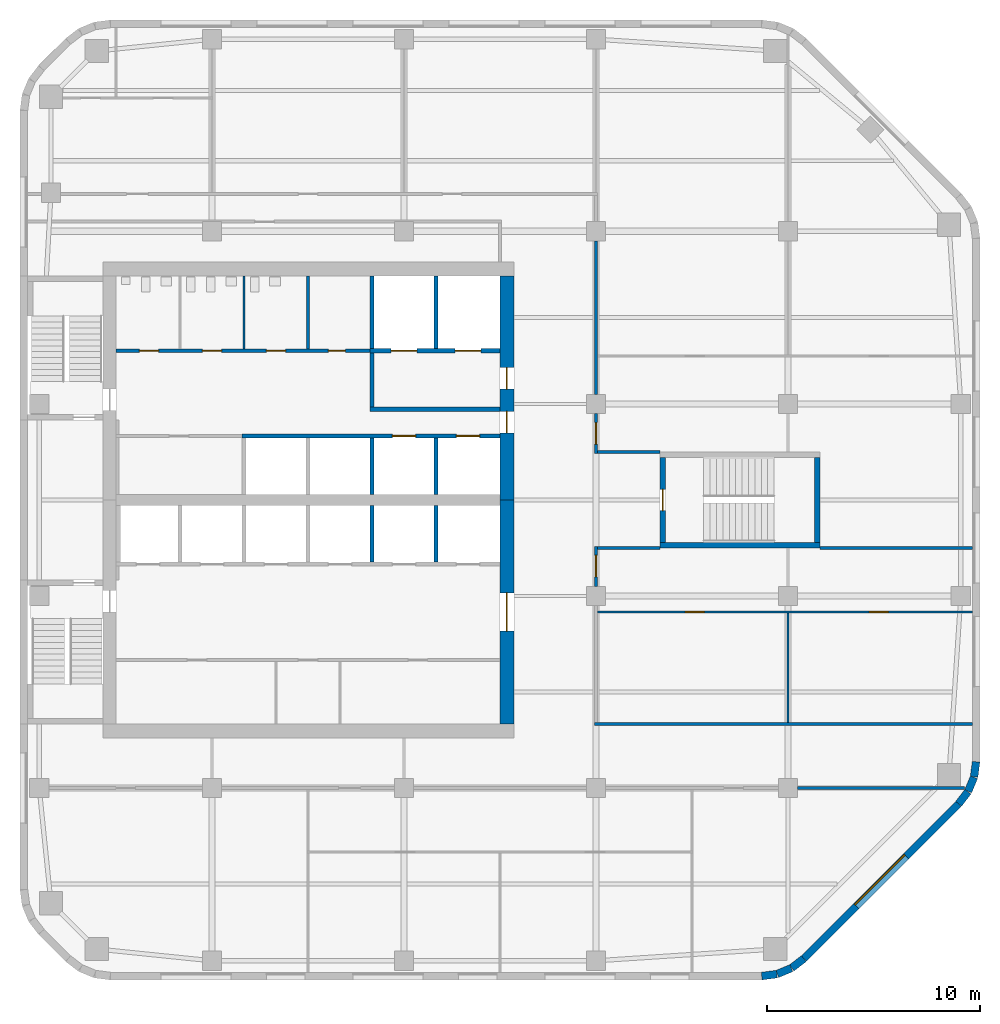
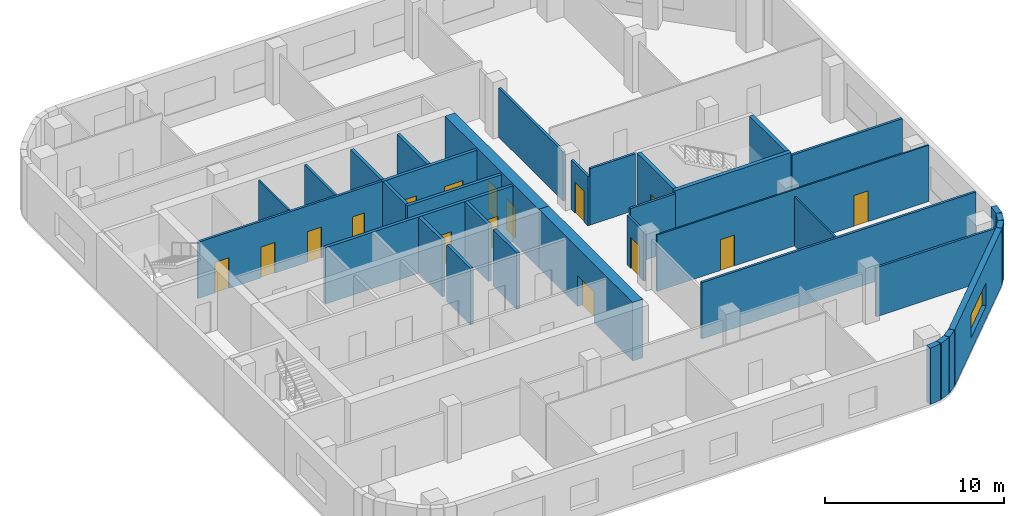
# One storey, part 4 of 8: 35 walls, 16 doors, 1 window, 17 openings.
"""IFC4 building model written with IfcOpenShell, lengths in metres."""

from ifc_helpers import new_model, si_unit, direction, frame, frame_2d, origin, place, context, subcontext, project, spatial, rectangle, extrude, material, layer, layer_set, type_object, element, fill, save


model = new_model("IFC4")

# Units and contexts
model_context = context("Model", 3, precision=1e-05, world=origin(), true_north=direction((0.0, 1.0)))
body_context = subcontext(model_context, "Body", "Model", "MODEL_VIEW")
ifc_project = project(units=[si_unit("LENGTHUNIT", "METRE"), si_unit("AREAUNIT", "SQUARE_METRE"), si_unit("VOLUMEUNIT", "CUBIC_METRE"), si_unit("PLANEANGLEUNIT", "RADIAN"), si_unit("MASSUNIT", "GRAM", prefix="KILO")], contexts=[model_context])

# Site, building, storey
site_placement = place(None, origin())
site = spatial("IfcSite", under=ifc_project, at=site_placement, CompositionType="ELEMENT")
building_placement = place(site_placement, origin())
building = spatial("IfcBuilding", under=site, at=building_placement, Name="Cinnabar Reach Civic Tower", CompositionType="ELEMENT")
storey_placement = place(building_placement, frame((0.0, 0.0, 161.0)))
storey = spatial("IfcBuildingStorey", under=building, at=storey_placement, Name="L38", CompositionType="ELEMENT", Elevation=161.0)

# Walls
ifc_material_1 = material(Name="Facing brick with insulated backing", Category="masonry")
ifc_layer_1 = layer(ifc_material_1, 0.36)
ifc_layer_set_1 = layer_set([ifc_layer_1], Name="Brick corner wall")
wall_type_1 = type_object("IfcWallType", Name="Brick corner wall", PredefinedType="STANDARD", material=ifc_layer_set_1)
for number, where, z_axis, x_axis, name in (
    (1, (34.7686, 9.183, 0.0), (0.0, 0.0, 1.0), (0.99144092581, 0.13055608231, 0.0), "Brick corner wall"),
    (2, (35.4973, 9.2819, 0.0), (0.0, 0.0, 1.0), (0.923871547278, 0.382702709855, 0.0), "Brick corner wall"),
):
    element("IfcWall", number, at=place(storey_placement, frame(where, z_axis=z_axis, x_axis=x_axis)), inside=storey, type_object=wall_type_1, Name=name, PredefinedType="STANDARD", context=body_context, shape_type="SweptSolid", body=[
        extrude(rectangle(XDim=0.7131, YDim=0.36, at=frame_2d((0.3565, 0.0))), origin(), (0.0, 0.0, 1.0), 3.85),
    ])
for number, where, z_axis, x_axis, name in (
    (3, (36.1755, 9.566, 0.0), (0.0, 0.0, 1.0), (0.793321924995, 0.608802368033, 0.0), "Brick corner wall"),
    (4, (43.9998, 17.2587, 0.0), (0.0, 0.0, 1.0), (0.608802368033, 0.793321924995, 0.0), "Brick corner wall"),
):
    element("IfcWall", number, at=place(storey_placement, frame(where, z_axis=z_axis, x_axis=x_axis)), inside=storey, type_object=wall_type_1, Name=name, PredefinedType="STANDARD", context=body_context, shape_type="SweptSolid", body=[
        extrude(rectangle(XDim=0.7132, YDim=0.36, at=frame_2d((0.3566, 0.0))), origin(), (0.0, 0.0, 1.0), 3.85),
    ])
for number, where, z_axis, x_axis, name in (
    (5, (44.4452, 17.8439, 0.0), (0.0, 0.0, 1.0), (0.382702709855, 0.923871547278, 0.0), "Brick corner wall"),
    (6, (44.7239, 18.5244, 0.0), (0.0, 0.0, 1.0), (0.13055608231, 0.99144092581, 0.0), "Brick corner wall"),
):
    element("IfcWall", number, at=place(storey_placement, frame(where, z_axis=z_axis, x_axis=x_axis)), inside=storey, type_object=wall_type_1, Name=name, PredefinedType="STANDARD", context=body_context, shape_type="SweptSolid", body=[
        extrude(rectangle(XDim=0.7131, YDim=0.36, at=frame_2d((0.3565, 0.0))), origin(), (0.0, 0.0, 1.0), 3.85),
    ])

# Wall, opening, window
ifc_layer_2 = layer(ifc_material_1, 0.36)
ifc_layer_set_2 = layer_set([ifc_layer_2], Name="Brick pier and spandrel wall")
wall_type_2 = type_object("IfcWallType", Name="Brick pier and spandrel wall", PredefinedType="STANDARD", material=ifc_layer_set_2)
wall_1_placement = place(storey_placement, frame((36.7514, 10.006, 0.0), z_axis=(0.0, 0.0, 1.0), x_axis=(0.707106781187, 0.707106781187, 0.0)))
wall_1 = element("IfcWall", 7, at=wall_1_placement, inside=storey, type_object=wall_type_2, Name="Brick facade wall", PredefinedType="STANDARD", context=body_context, shape_type="SweptSolid", body=[
    extrude(rectangle(XDim=10.2426, YDim=0.36, at=frame_2d((5.1213, 0.0))), origin(), (0.0, 0.0, 1.0), 3.85),
])
opening_1_placement = place(wall_1_placement, frame((3.4713, 0.0, 0.9)))
opening_1 = element("IfcOpeningElement", 8, at=opening_1_placement, cuts=wall_1, Name="Opening W1787", PredefinedType="OPENING", context=body_context, shape_type="SweptSolid", body=[
    extrude(rectangle(XDim=3.3, YDim=1.6, at=frame_2d((1.65, 0.8))), frame((0.0, 0.19, 0.0), z_axis=(0.0, -1.0, 0.0), x_axis=(1.0, 0.0, 0.0)), (0.0, 0.0, 1.0), 0.38),
])
ifc_material_2 = material(Name="Clear double glazing in aluminium frame", Category="aluminium")
window_type = type_object("IfcWindowType", Name="Deep-set window A", PartitioningType="SINGLE_PANEL", PredefinedType="WINDOW", material=ifc_material_2)
window_placement = place(opening_1_placement, origin())
window = element("IfcWindow", 9, at=window_placement, inside=storey, type_object=window_type, Name="Window southeast face", OverallHeight=1.6, OverallWidth=3.3, PartitioningType="SINGLE_PANEL", PredefinedType="WINDOW", context=body_context, shape_type="SweptSolid", body=[
    extrude(rectangle(XDim=3.3, YDim=1.6, at=frame_2d((1.65, 0.8))), frame((0.0, 0.13, 0.0), z_axis=(0.0, -1.0, 0.0), x_axis=(1.0, 0.0, 0.0)), (0.0, 0.0, 1.0), 0.06),
])
fill(opening_1, window)

# Wall, opening, door
ifc_material_3 = material(Name="Concrete C70", Category="concrete")
ifc_layer_3 = layer(ifc_material_3, 0.65)
ifc_layer_set_3 = layer_set([ifc_layer_3], Name="Core wall 650 EI 180")
wall_type_3 = type_object("IfcWallType", Name="Core wall 650 EI 180", PredefinedType="SOLIDWALL", material=ifc_layer_set_3)
wall_2_placement = place(storey_placement, frame((22.825, 21.0, 0.0), z_axis=(0.0, 0.0, 1.0), x_axis=(0.0, 1.0, 0.0)))
wall_2 = element("IfcWall", 10, at=wall_2_placement, inside=storey, type_object=wall_type_3, Name="Core wall T1 L38 E", PredefinedType="SOLIDWALL", context=body_context, shape_type="SweptSolid", body=[
    extrude(rectangle(XDim=10.5, YDim=0.65, at=frame_2d((5.25, 0.0))), origin(), (0.0, 0.0, 1.0), 4.0),
])
opening_2_placement = place(wall_2_placement, frame((4.35, 0.0, 0.0)))
opening_2 = element("IfcOpeningElement", 11, at=opening_2_placement, cuts=wall_2, Name="Opening D4556", PredefinedType="OPENING", context=body_context, shape_type="SweptSolid", body=[
    extrude(rectangle(XDim=1.8, YDim=2.1, at=frame_2d((0.9, 1.05))), frame((0.0, 0.335, 0.0), z_axis=(0.0, -1.0, 0.0), x_axis=(1.0, 0.0, 0.0)), (0.0, 0.0, 1.0), 0.67),
])
ifc_material_4 = material(Name="Timber door leaf in steel frame", Category="steel")
door_type_1 = type_object("IfcDoorType", Name="Double swing door 1800 x 2100 T1", OperationType="DOUBLE_DOOR_DOUBLE_SWING", PredefinedType="DOOR", material=ifc_material_4)
door_1_placement = place(opening_2_placement, origin())
door_1 = element("IfcDoor", 12, at=door_1_placement, inside=storey, type_object=door_type_1, Name="Door D4556", OperationType="DOUBLE_DOOR_DOUBLE_SWING", OverallHeight=2.1, OverallWidth=1.8, PredefinedType="DOOR", context=body_context, shape_type="SweptSolid", body=[
    extrude(rectangle(XDim=1.8, YDim=2.1, at=frame_2d((0.9, 1.05))), frame((0.0, 0.025, 0.0), z_axis=(0.0, -1.0, 0.0), x_axis=(1.0, 0.0, 0.0)), (0.0, 0.0, 1.0), 0.05),
])
fill(opening_2, door_1)

# Wall, openings, doors
wall_3_placement = place(storey_placement, frame((22.825, 31.5, 0.0), z_axis=(0.0, 0.0, 1.0), x_axis=(0.0, 1.0, 0.0)))
wall_3 = element("IfcWall", 13, at=wall_3_placement, inside=storey, type_object=wall_type_3, Name="Core wall T1 L38 E2", PredefinedType="SOLIDWALL", context=body_context, shape_type="SweptSolid", body=[
    extrude(rectangle(XDim=10.5, YDim=0.65, at=frame_2d((5.25, 0.0))), origin(), (0.0, 0.0, 1.0), 4.0),
])
opening_3_placement = place(wall_3_placement, frame((3.15, 0.0, 0.0)))
opening_3 = element("IfcOpeningElement", 14, at=opening_3_placement, cuts=wall_3, Name="Opening D4557", PredefinedType="OPENING", context=body_context, shape_type="SweptSolid", body=[
    extrude(rectangle(XDim=1.0, YDim=2.1, at=frame_2d((0.5, 1.05))), frame((0.0, 0.335, 0.0), z_axis=(0.0, -1.0, 0.0), x_axis=(1.0, 0.0, 0.0)), (0.0, 0.0, 1.0), 0.67),
])
opening_4_placement = place(wall_3_placement, frame((5.2, 0.0, 0.0)))
opening_4 = element("IfcOpeningElement", 15, at=opening_4_placement, cuts=wall_3, Name="Opening D4558", PredefinedType="OPENING", context=body_context, shape_type="SweptSolid", body=[
    extrude(rectangle(XDim=1.0, YDim=2.1, at=frame_2d((0.5, 1.05))), frame((0.0, 0.335, 0.0), z_axis=(0.0, -1.0, 0.0), x_axis=(1.0, 0.0, 0.0)), (0.0, 0.0, 1.0), 0.67),
])
door_type_2 = type_object("IfcDoorType", Name="Firefighting lobby door 1000 x 2100 T1", OperationType="SINGLE_SWING_LEFT", PredefinedType="DOOR", material=ifc_material_4)
door_2_placement = place(opening_4_placement, origin())
door_2 = element("IfcDoor", 16, at=door_2_placement, inside=storey, type_object=door_type_2, Name="Door D4558", OperationType="SINGLE_SWING_RIGHT", OverallHeight=2.1, OverallWidth=1.0, PredefinedType="DOOR", context=body_context, shape_type="SweptSolid", body=[
    extrude(rectangle(XDim=1.0, YDim=2.1, at=frame_2d((0.5, 1.05))), frame((0.0, 0.025, 0.0), z_axis=(0.0, -1.0, 0.0), x_axis=(1.0, 0.0, 0.0)), (0.0, 0.0, 1.0), 0.05),
])
fill(opening_4, door_2)
door_type_3 = type_object("IfcDoorType", Name="Single swing door 1000 x 2100 T1", OperationType="SINGLE_SWING_LEFT", PredefinedType="DOOR", material=ifc_material_4)
door_3_placement = place(opening_3_placement, origin())
door_3 = element("IfcDoor", 17, at=door_3_placement, inside=storey, type_object=door_type_3, Name="Door D4557", OperationType="SINGLE_SWING_RIGHT", OverallHeight=2.1, OverallWidth=1.0, PredefinedType="DOOR", context=body_context, shape_type="SweptSolid", body=[
    extrude(rectangle(XDim=1.0, YDim=2.1, at=frame_2d((0.5, 1.05))), frame((0.0, 0.025, 0.0), z_axis=(0.0, -1.0, 0.0), x_axis=(1.0, 0.0, 0.0)), (0.0, 0.0, 1.0), 0.05),
])
fill(opening_3, door_3)

# Walls
ifc_material_5 = material(Name="Gypsum board on steel studs, double layer", Category="steel")
ifc_layer_4 = layer(ifc_material_5, 0.15)
ifc_layer_set_4 = layer_set([ifc_layer_4], Name="Corridor wall 150 T1")
wall_type_4 = type_object("IfcWallType", Name="Corridor wall 150 T1", PredefinedType="PARTITIONING", material=ifc_layer_set_4)
wall_4_placement = place(storey_placement, frame((36.45, 18.0, 0.0), z_axis=(0.0, 0.0, 1.0), x_axis=(1.0, 0.0, 0.0)))
element("IfcWall", 18, at=wall_4_placement, inside=storey, type_object=wall_type_4, Name="Corridor wall 22", PredefinedType="PARTITIONING", context=body_context, shape_type="SweptSolid", body=[
    extrude(rectangle(XDim=7.834, YDim=0.15, at=frame_2d((3.917, 0.0))), origin(), (0.0, 0.0, 1.0), 3.35),
])
wall_5_placement = place(storey_placement, frame((26.925, 21.0, 0.0), z_axis=(0.0, 0.0, 1.0), x_axis=(1.0, 0.0, 0.0)))
element("IfcWall", 19, at=wall_5_placement, inside=storey, type_object=wall_type_4, Name="Corridor wall 27", PredefinedType="PARTITIONING", context=body_context, shape_type="SweptSolid", body=[
    extrude(rectangle(XDim=17.715, YDim=0.15, at=frame_2d((8.8575, 0.0))), origin(), (0.0, 0.0, 1.0), 3.85),
])

# Wall, opening, door
wall_6_placement = place(storey_placement, frame((27.0, 33.675, 0.0), z_axis=(0.0, 0.0, 1.0), x_axis=(0.0, 1.0, 0.0)))
wall_6 = element("IfcWall", 20, at=wall_6_placement, inside=storey, type_object=wall_type_4, Name="Corridor wall 28", PredefinedType="PARTITIONING", context=body_context, shape_type="SweptSolid", body=[
    extrude(rectangle(XDim=1.875, YDim=0.15, at=frame_2d((0.9375, 0.0))), origin(), (0.0, 0.0, 1.0), 3.362),
])
opening_5_placement = place(wall_6_placement, frame((0.45, 0.0, 0.0)))
opening_5 = element("IfcOpeningElement", 21, at=opening_5_placement, cuts=wall_6, Name="Opening D4568", PredefinedType="OPENING", context=body_context, shape_type="SweptSolid", body=[
    extrude(rectangle(XDim=1.0, YDim=2.1, at=frame_2d((0.5, 1.05))), frame((0.0, 0.085, 0.0), z_axis=(0.0, -1.0, 0.0), x_axis=(1.0, 0.0, 0.0)), (0.0, 0.0, 1.0), 0.17),
])
door_type_4 = type_object("IfcDoorType", Name="Tenancy entrance door 1000 x 2100 T1", OperationType="SINGLE_SWING_LEFT", PredefinedType="DOOR", material=ifc_material_4)
door_4_placement = place(opening_5_placement, frame((1.0, 0.0, 0.0), z_axis=(0.0, 0.0, 1.0), x_axis=(-1.0, 0.0, 0.0)))
door_4 = element("IfcDoor", 22, at=door_4_placement, inside=storey, type_object=door_type_4, Name="Door D4568", OperationType="SINGLE_SWING_RIGHT", OverallHeight=2.1, OverallWidth=1.0, PredefinedType="DOOR", context=body_context, shape_type="SweptSolid", body=[
    extrude(rectangle(XDim=1.0, YDim=2.1, at=frame_2d((0.5, 1.05))), frame((0.0, 0.025, 0.0), z_axis=(0.0, -1.0, 0.0), x_axis=(1.0, 0.0, 0.0)), (0.0, 0.0, 1.0), 0.05),
])
fill(opening_5, door_4)

# Wall
wall_7_placement = place(storey_placement, frame((27.0, 36.45, 0.0), z_axis=(0.0, 0.0, 1.0), x_axis=(0.0, 1.0, 0.0)))
element("IfcWall", 23, at=wall_7_placement, inside=storey, type_object=wall_type_4, Name="Corridor wall 29", PredefinedType="PARTITIONING", context=body_context, shape_type="SweptSolid", body=[
    extrude(rectangle(XDim=7.2, YDim=0.15, at=frame_2d((3.6, 0.0))), origin(), (0.0, 0.0, 1.0), 3.362),
])

# Wall, openings, doors
wall_8_placement = place(storey_placement, frame((4.5, 38.5, 0.0), z_axis=(0.0, 0.0, 1.0), x_axis=(1.0, 0.0, 0.0)))
wall_8 = element("IfcWall", 24, at=wall_8_placement, inside=storey, type_object=wall_type_4, Name="Corridor wall 31", PredefinedType="PARTITIONING", context=body_context, shape_type="SweptSolid", body=[
    extrude(rectangle(XDim=11.9, YDim=0.15, at=frame_2d((5.95, 0.0))), origin(), (0.0, 0.0, 1.0), 3.85),
])
opening_6_placement = place(wall_8_placement, frame((1.1, 0.0, 0.0)))
opening_6 = element("IfcOpeningElement", 25, at=opening_6_placement, cuts=wall_8, Name="Opening D4564", PredefinedType="OPENING", context=body_context, shape_type="SweptSolid", body=[
    extrude(rectangle(XDim=0.9, YDim=2.1, at=frame_2d((0.45, 1.05))), frame((0.0, 0.085, 0.0), z_axis=(0.0, -1.0, 0.0), x_axis=(1.0, 0.0, 0.0)), (0.0, 0.0, 1.0), 0.17),
])
opening_7_placement = place(wall_8_placement, frame((4.05, 0.0, 0.0)))
opening_7 = element("IfcOpeningElement", 26, at=opening_7_placement, cuts=wall_8, Name="Opening D4565", PredefinedType="OPENING", context=body_context, shape_type="SweptSolid", body=[
    extrude(rectangle(XDim=0.9, YDim=2.1, at=frame_2d((0.45, 1.05))), frame((0.0, 0.085, 0.0), z_axis=(0.0, -1.0, 0.0), x_axis=(1.0, 0.0, 0.0)), (0.0, 0.0, 1.0), 0.17),
])
opening_8_placement = place(wall_8_placement, frame((7.05, 0.0, 0.0)))
opening_8 = element("IfcOpeningElement", 27, at=opening_8_placement, cuts=wall_8, Name="Opening D4566", PredefinedType="OPENING", context=body_context, shape_type="SweptSolid", body=[
    extrude(rectangle(XDim=0.9, YDim=2.1, at=frame_2d((0.45, 1.05))), frame((0.0, 0.085, 0.0), z_axis=(0.0, -1.0, 0.0), x_axis=(1.0, 0.0, 0.0)), (0.0, 0.0, 1.0), 0.17),
])
opening_9_placement = place(wall_8_placement, frame((9.95, 0.0, 0.0)))
opening_9 = element("IfcOpeningElement", 28, at=opening_9_placement, cuts=wall_8, Name="Opening D4567", PredefinedType="OPENING", context=body_context, shape_type="SweptSolid", body=[
    extrude(rectangle(XDim=0.8, YDim=2.1, at=frame_2d((0.4, 1.05))), frame((0.0, 0.085, 0.0), z_axis=(0.0, -1.0, 0.0), x_axis=(1.0, 0.0, 0.0)), (0.0, 0.0, 1.0), 0.17),
])
door_type_5 = type_object("IfcDoorType", Name="Riser access door 800 x 2100 T1", OperationType="SINGLE_SWING_LEFT", PredefinedType="DOOR", material=ifc_material_4)
door_5_placement = place(opening_9_placement, origin())
door_5 = element("IfcDoor", 29, at=door_5_placement, inside=storey, type_object=door_type_5, Name="Door D4567", OperationType="SINGLE_SWING_LEFT", OverallHeight=2.1, OverallWidth=0.8, PredefinedType="DOOR", context=body_context, shape_type="SweptSolid", body=[
    extrude(rectangle(XDim=0.8, YDim=2.1, at=frame_2d((0.4, 1.05))), frame((0.0, 0.025, 0.0), z_axis=(0.0, -1.0, 0.0), x_axis=(1.0, 0.0, 0.0)), (0.0, 0.0, 1.0), 0.05),
])
fill(opening_9, door_5)
door_type_6 = type_object("IfcDoorType", Name="Single swing door 900 x 2100 corridor T1", OperationType="SINGLE_SWING_LEFT", PredefinedType="DOOR", material=ifc_material_4)
door_6_placement = place(opening_6_placement, origin())
door_6 = element("IfcDoor", 30, at=door_6_placement, inside=storey, type_object=door_type_6, Name="Door D4564", OperationType="SINGLE_SWING_RIGHT", OverallHeight=2.1, OverallWidth=0.9, PredefinedType="DOOR", context=body_context, shape_type="SweptSolid", body=[
    extrude(rectangle(XDim=0.9, YDim=2.1, at=frame_2d((0.45, 1.05))), frame((0.0, 0.025, 0.0), z_axis=(0.0, -1.0, 0.0), x_axis=(1.0, 0.0, 0.0)), (0.0, 0.0, 1.0), 0.05),
])
fill(opening_6, door_6)
door_7_placement = place(opening_7_placement, origin())
door_7 = element("IfcDoor", 31, at=door_7_placement, inside=storey, type_object=door_type_6, Name="Door D4565", OperationType="SINGLE_SWING_LEFT", OverallHeight=2.1, OverallWidth=0.9, PredefinedType="DOOR", context=body_context, shape_type="SweptSolid", body=[
    extrude(rectangle(XDim=0.9, YDim=2.1, at=frame_2d((0.45, 1.05))), frame((0.0, 0.025, 0.0), z_axis=(0.0, -1.0, 0.0), x_axis=(1.0, 0.0, 0.0)), (0.0, 0.0, 1.0), 0.05),
])
fill(opening_7, door_7)
door_8_placement = place(opening_8_placement, origin())
door_8 = element("IfcDoor", 32, at=door_8_placement, inside=storey, type_object=door_type_6, Name="Door D4566", OperationType="SINGLE_SWING_LEFT", OverallHeight=2.1, OverallWidth=0.9, PredefinedType="DOOR", context=body_context, shape_type="SweptSolid", body=[
    extrude(rectangle(XDim=0.9, YDim=2.1, at=frame_2d((0.45, 1.05))), frame((0.0, 0.025, 0.0), z_axis=(0.0, -1.0, 0.0), x_axis=(1.0, 0.0, 0.0)), (0.0, 0.0, 1.0), 0.05),
])
fill(opening_8, door_8)

# Wall, opening, door
wall_9_placement = place(storey_placement, frame((27.0, 27.45, 0.0), z_axis=(0.0, 0.0, 1.0), x_axis=(0.0, 1.0, 0.0)))
wall_9 = element("IfcWall", 33, at=wall_9_placement, inside=storey, type_object=wall_type_4, Name="Corridor wall 33", PredefinedType="PARTITIONING", context=body_context, shape_type="SweptSolid", body=[
    extrude(rectangle(XDim=1.875, YDim=0.15, at=frame_2d((0.9375, 0.0))), origin(), (0.0, 0.0, 1.0), 3.362),
])
opening_10_placement = place(wall_9_placement, frame((0.45, 0.0, 0.0)))
opening_10 = element("IfcOpeningElement", 34, at=opening_10_placement, cuts=wall_9, Name="Opening D4571", PredefinedType="OPENING", context=body_context, shape_type="SweptSolid", body=[
    extrude(rectangle(XDim=1.0, YDim=2.1, at=frame_2d((0.5, 1.05))), frame((0.0, 0.085, 0.0), z_axis=(0.0, -1.0, 0.0), x_axis=(1.0, 0.0, 0.0)), (0.0, 0.0, 1.0), 0.17),
])
door_9_placement = place(opening_10_placement, frame((1.0, 0.0, 0.0), z_axis=(0.0, 0.0, 1.0), x_axis=(-1.0, 0.0, 0.0)))
door_9 = element("IfcDoor", 35, at=door_9_placement, inside=storey, type_object=door_type_4, Name="Door D4571", OperationType="SINGLE_SWING_LEFT", OverallHeight=2.1, OverallWidth=1.0, PredefinedType="DOOR", context=body_context, shape_type="SweptSolid", body=[
    extrude(rectangle(XDim=1.0, YDim=2.1, at=frame_2d((0.5, 1.05))), frame((0.0, 0.025, 0.0), z_axis=(0.0, -1.0, 0.0), x_axis=(1.0, 0.0, 0.0)), (0.0, 0.0, 1.0), 0.05),
])
fill(opening_10, door_9)

# Walls
for number, where, z_axis, x_axis, name in (
    (36, (27.075, 29.25, 0.0), (0.0, 0.0, 1.0), (1.0, 0.0, 0.0), "Corridor wall 37"),
    (37, (27.075, 33.75, 0.0), (0.0, 0.0, 1.0), (1.0, 0.0, 0.0), "Corridor wall 38"),
):
    element("IfcWall", number, at=place(storey_placement, frame(where, z_axis=z_axis, x_axis=x_axis)), inside=storey, type_object=wall_type_4, Name=name, PredefinedType="PARTITIONING", context=body_context, shape_type="SweptSolid", body=[
        extrude(rectangle(XDim=2.925, YDim=0.15, at=frame_2d((1.4625, 0.0))), origin(), (0.0, 0.0, 1.0), 3.85),
    ])

# Wall, openings, doors
ifc_material_6 = material(Name="Blockwork", Category="masonry")
ifc_layer_5 = layer(ifc_material_6, 0.2)
ifc_layer_set_5 = layer_set([ifc_layer_5], Name="Lift shaft wall 200 T1")
wall_type_5 = type_object("IfcWallType", Name="Lift shaft wall 200 T1", PredefinedType="PARTITIONING", material=ifc_layer_set_5)
wall_10_placement = place(storey_placement, frame((10.4, 34.5, 0.0), z_axis=(0.0, 0.0, 1.0), x_axis=(1.0, 0.0, 0.0)))
wall_10 = element("IfcWall", 38, at=wall_10_placement, inside=storey, type_object=wall_type_5, Name="Lift shaft wall 5", PredefinedType="PARTITIONING", context=body_context, shape_type="SweptSolid", body=[
    extrude(rectangle(XDim=12.1, YDim=0.2, at=frame_2d((6.05, 0.0))), origin(), (0.0, 0.0, 1.0), 3.85),
])
opening_11_placement = place(wall_10_placement, frame((7.05, 0.0, 0.0)))
opening_11 = element("IfcOpeningElement", 39, at=opening_11_placement, cuts=wall_10, Name="Opening D4552", PredefinedType="OPENING", context=body_context, shape_type="SweptSolid", body=[
    extrude(rectangle(XDim=1.1, YDim=2.1, at=frame_2d((0.55, 1.05))), frame((0.0, 0.11, 0.0), z_axis=(0.0, -1.0, 0.0), x_axis=(1.0, 0.0, 0.0)), (0.0, 0.0, 1.0), 0.22),
])
opening_12_placement = place(wall_10_placement, frame((10.05, 0.0, 0.0)))
opening_12 = element("IfcOpeningElement", 40, at=opening_12_placement, cuts=wall_10, Name="Opening D4553", PredefinedType="OPENING", context=body_context, shape_type="SweptSolid", body=[
    extrude(rectangle(XDim=1.1, YDim=2.1, at=frame_2d((0.55, 1.05))), frame((0.0, 0.11, 0.0), z_axis=(0.0, -1.0, 0.0), x_axis=(1.0, 0.0, 0.0)), (0.0, 0.0, 1.0), 0.22),
])
ifc_material_7 = material(Name="Stainless steel sliding door", Category="steel")
door_type_7 = type_object("IfcDoorType", Name="Lift landing door 1100 x 2100 T1", OperationType="SLIDING_TO_LEFT", PredefinedType="DOOR", material=ifc_material_7)
door_10_placement = place(opening_11_placement, origin())
door_10 = element("IfcDoor", 41, at=door_10_placement, inside=storey, type_object=door_type_7, Name="Lift landing door SV1 L38", OperationType="SLIDING_TO_LEFT", OverallHeight=2.1, OverallWidth=1.1, PredefinedType="DOOR", context=body_context, shape_type="SweptSolid", body=[
    extrude(rectangle(XDim=1.1, YDim=2.1, at=frame_2d((0.55, 1.05))), frame((0.0, 0.025, 0.0), z_axis=(0.0, -1.0, 0.0), x_axis=(1.0, 0.0, 0.0)), (0.0, 0.0, 1.0), 0.05),
])
fill(opening_11, door_10)
door_11_placement = place(opening_12_placement, origin())
door_11 = element("IfcDoor", 42, at=door_11_placement, inside=storey, type_object=door_type_7, Name="Lift landing door SV2 L38", OperationType="SLIDING_TO_LEFT", OverallHeight=2.1, OverallWidth=1.1, PredefinedType="DOOR", context=body_context, shape_type="SweptSolid", body=[
    extrude(rectangle(XDim=1.1, YDim=2.1, at=frame_2d((0.55, 1.05))), frame((0.0, 0.025, 0.0), z_axis=(0.0, -1.0, 0.0), x_axis=(1.0, 0.0, 0.0)), (0.0, 0.0, 1.0), 0.05),
])
fill(opening_12, door_11)

# Walls
for number, where, z_axis, x_axis, name in (
    (43, (16.5, 28.6, 0.0), (0.0, 0.0, 1.0), (0.0, 1.0, 0.0), "Lift shaft wall 10"),
    (44, (16.5, 31.75, 0.0), (0.0, 0.0, 1.0), (0.0, 1.0, 0.0), "Lift shaft wall 11"),
    (45, (19.5, 28.6, 0.0), (0.0, 0.0, 1.0), (0.0, 1.0, 0.0), "Lift shaft wall 12"),
    (46, (19.5, 31.75, 0.0), (0.0, 0.0, 1.0), (0.0, 1.0, 0.0), "Lift shaft wall 13"),
):
    element("IfcWall", number, at=place(storey_placement, frame(where, z_axis=z_axis, x_axis=x_axis)), inside=storey, type_object=wall_type_5, Name=name, PredefinedType="PARTITIONING", context=body_context, shape_type="SweptSolid", body=[
        extrude(rectangle(XDim=2.65, YDim=0.2, at=frame_2d((1.325, 0.0))), origin(), (0.0, 0.0, 1.0), 3.85),
    ])
for number, where, z_axis, x_axis, name in (
    (47, (16.5, 38.6, 0.0), (0.0, 0.0, 1.0), (0.0, 1.0, 0.0), "Lift shaft wall 14"),
    (48, (19.5, 38.6, 0.0), (0.0, 0.0, 1.0), (0.0, 1.0, 0.0), "Lift shaft wall 15"),
):
    element("IfcWall", number, at=place(storey_placement, frame(where, z_axis=z_axis, x_axis=x_axis)), inside=storey, type_object=wall_type_5, Name=name, PredefinedType="PARTITIONING", context=body_context, shape_type="SweptSolid", body=[
        extrude(rectangle(XDim=3.4, YDim=0.2, at=frame_2d((1.7, 0.0))), origin(), (0.0, 0.0, 1.0), 3.85),
    ])

# Wall, openings, doors
ifc_material_8 = material(Name="Gypsum board on steel studs", Category="steel")
ifc_layer_6 = layer(ifc_material_8, 0.1)
ifc_layer_set_6 = layer_set([ifc_layer_6], Name="Partition wall 100 T1")
wall_type_6 = type_object("IfcWallType", Name="Partition wall 100 T1", PredefinedType="PARTITIONING", material=ifc_layer_set_6)
wall_11_placement = place(storey_placement, frame((27.075, 26.25, 0.0), z_axis=(0.0, 0.0, 1.0), x_axis=(1.0, 0.0, 0.0)))
wall_11 = element("IfcWall", 49, at=wall_11_placement, inside=storey, type_object=wall_type_6, Name="Partition wall 44", PredefinedType="PARTITIONING", context=body_context, shape_type="SweptSolid", body=[
    extrude(rectangle(XDim=17.565, YDim=0.1, at=frame_2d((8.7825, 0.0))), origin(), (0.0, 0.0, 1.0), 3.85),
])
opening_13_placement = place(wall_11_placement, frame((4.1, 0.0, 0.0)))
opening_13 = element("IfcOpeningElement", 50, at=opening_13_placement, cuts=wall_11, Name="Opening D4572", PredefinedType="OPENING", context=body_context, shape_type="SweptSolid", body=[
    extrude(rectangle(XDim=0.9, YDim=2.1, at=frame_2d((0.45, 1.05))), frame((0.0, 0.06, 0.0), z_axis=(0.0, -1.0, 0.0), x_axis=(1.0, 0.0, 0.0)), (0.0, 0.0, 1.0), 0.12),
])
opening_14_placement = place(wall_11_placement, frame((12.725, 0.0, 0.0)))
opening_14 = element("IfcOpeningElement", 51, at=opening_14_placement, cuts=wall_11, Name="Opening D4573", PredefinedType="OPENING", context=body_context, shape_type="SweptSolid", body=[
    extrude(rectangle(XDim=0.9, YDim=2.1, at=frame_2d((0.45, 1.05))), frame((0.0, 0.06, 0.0), z_axis=(0.0, -1.0, 0.0), x_axis=(1.0, 0.0, 0.0)), (0.0, 0.0, 1.0), 0.12),
])
door_type_8 = type_object("IfcDoorType", Name="Single swing door 900 x 2100 T1", OperationType="SINGLE_SWING_LEFT", PredefinedType="DOOR", material=ifc_material_4)
door_12_placement = place(opening_13_placement, frame((0.9, 0.0, 0.0), z_axis=(0.0, 0.0, 1.0), x_axis=(-1.0, 0.0, 0.0)))
door_12 = element("IfcDoor", 52, at=door_12_placement, inside=storey, type_object=door_type_8, Name="Door D4572", OperationType="SINGLE_SWING_RIGHT", OverallHeight=2.1, OverallWidth=0.9, PredefinedType="DOOR", context=body_context, shape_type="SweptSolid", body=[
    extrude(rectangle(XDim=0.9, YDim=2.1, at=frame_2d((0.45, 1.05))), frame((0.0, 0.025, 0.0), z_axis=(0.0, -1.0, 0.0), x_axis=(1.0, 0.0, 0.0)), (0.0, 0.0, 1.0), 0.05),
])
fill(opening_13, door_12)
door_13_placement = place(opening_14_placement, frame((0.9, 0.0, 0.0), z_axis=(0.0, 0.0, 1.0), x_axis=(-1.0, 0.0, 0.0)))
door_13 = element("IfcDoor", 53, at=door_13_placement, inside=storey, type_object=door_type_8, Name="Door D4573", OperationType="SINGLE_SWING_LEFT", OverallHeight=2.1, OverallWidth=0.9, PredefinedType="DOOR", context=body_context, shape_type="SweptSolid", body=[
    extrude(rectangle(XDim=0.9, YDim=2.1, at=frame_2d((0.45, 1.05))), frame((0.0, 0.025, 0.0), z_axis=(0.0, -1.0, 0.0), x_axis=(1.0, 0.0, 0.0)), (0.0, 0.0, 1.0), 0.05),
])
fill(opening_14, door_13)

# Walls
wall_12_placement = place(storey_placement, frame((36.0, 21.075, 0.0), z_axis=(0.0, 0.0, 1.0), x_axis=(0.0, 1.0, 0.0)))
element("IfcWall", 54, at=wall_12_placement, inside=storey, type_object=wall_type_6, Name="Partition wall 58", PredefinedType="PARTITIONING", context=body_context, shape_type="SweptSolid", body=[
    extrude(rectangle(XDim=5.125, YDim=0.1, at=frame_2d((2.5625, 0.0))), origin(), (0.0, 0.0, 1.0), 3.362),
])
wall_13_placement = place(storey_placement, frame((10.5, 38.575, 0.0), z_axis=(0.0, 0.0, 1.0), x_axis=(0.0, 1.0, 0.0)))
element("IfcWall", 55, at=wall_13_placement, inside=storey, type_object=wall_type_6, Name="Partition wall 60", PredefinedType="PARTITIONING", context=body_context, shape_type="SweptSolid", body=[
    extrude(rectangle(XDim=3.425, YDim=0.1, at=frame_2d((1.7125, 0.0))), origin(), (0.0, 0.0, 1.0), 3.85),
])
ifc_material_9 = material(Name="Concrete C40", Category="concrete")
ifc_layer_7 = layer(ifc_material_9, 0.2)
ifc_layer_set_7 = layer_set([ifc_layer_7], Name="Refuge compartment wall 200 T1")
wall_type_7 = type_object("IfcWallType", Name="Refuge compartment wall 200 T1", PredefinedType="PARTITIONING", material=ifc_layer_set_7)
wall_14_placement = place(storey_placement, frame((16.4, 35.75, 0.0), z_axis=(0.0, 0.0, 1.0), x_axis=(1.0, 0.0, 0.0)))
element("IfcWall", 56, at=wall_14_placement, inside=storey, type_object=wall_type_7, Name="Refuge compartment wall 1", PredefinedType="PARTITIONING", context=body_context, shape_type="SweptSolid", body=[
    extrude(rectangle(XDim=6.1, YDim=0.2, at=frame_2d((3.05, 0.0))), origin(), (0.0, 0.0, 1.0), 3.85),
])

# Wall, openings, doors
wall_15_placement = place(storey_placement, frame((16.4, 38.5, 0.0), z_axis=(0.0, 0.0, 1.0), x_axis=(1.0, 0.0, 0.0)))
wall_15 = element("IfcWall", 57, at=wall_15_placement, inside=storey, type_object=wall_type_7, Name="Refuge compartment wall 2", PredefinedType="PARTITIONING", context=body_context, shape_type="SweptSolid", body=[
    extrude(rectangle(XDim=6.1, YDim=0.2, at=frame_2d((3.05, 0.0))), origin(), (0.0, 0.0, 1.0), 3.85),
])
opening_15_placement = place(wall_15_placement, frame((1.0, 0.0, 0.0)))
opening_15 = element("IfcOpeningElement", 58, at=opening_15_placement, cuts=wall_15, Name="Opening D4554", PredefinedType="OPENING", context=body_context, shape_type="SweptSolid", body=[
    extrude(rectangle(XDim=1.2, YDim=2.1, at=frame_2d((0.6, 1.05))), frame((0.0, 0.11, 0.0), z_axis=(0.0, -1.0, 0.0), x_axis=(1.0, 0.0, 0.0)), (0.0, 0.0, 1.0), 0.22),
])
opening_16_placement = place(wall_15_placement, frame((4.0, 0.0, 0.0)))
opening_16 = element("IfcOpeningElement", 59, at=opening_16_placement, cuts=wall_15, Name="Opening D4555", PredefinedType="OPENING", context=body_context, shape_type="SweptSolid", body=[
    extrude(rectangle(XDim=1.2, YDim=2.1, at=frame_2d((0.6, 1.05))), frame((0.0, 0.11, 0.0), z_axis=(0.0, -1.0, 0.0), x_axis=(1.0, 0.0, 0.0)), (0.0, 0.0, 1.0), 0.22),
])
door_type_9 = type_object("IfcDoorType", Name="Firefighting lift landing door 1200 x 2100 T1", OperationType="SLIDING_TO_LEFT", PredefinedType="DOOR", material=ifc_material_7)
door_14_placement = place(opening_15_placement, origin())
door_14 = element("IfcDoor", 60, at=door_14_placement, inside=storey, type_object=door_type_9, Name="Lift landing door FF1 L38", OperationType="SLIDING_TO_LEFT", OverallHeight=2.1, OverallWidth=1.2, PredefinedType="DOOR", context=body_context, shape_type="SweptSolid", body=[
    extrude(rectangle(XDim=1.2, YDim=2.1, at=frame_2d((0.6, 1.05))), frame((0.0, 0.025, 0.0), z_axis=(0.0, -1.0, 0.0), x_axis=(1.0, 0.0, 0.0)), (0.0, 0.0, 1.0), 0.05),
])
fill(opening_15, door_14)
door_15_placement = place(opening_16_placement, origin())
door_15 = element("IfcDoor", 61, at=door_15_placement, inside=storey, type_object=door_type_9, Name="Lift landing door FF2 L38", OperationType="SLIDING_TO_LEFT", OverallHeight=2.1, OverallWidth=1.2, PredefinedType="DOOR", context=body_context, shape_type="SweptSolid", body=[
    extrude(rectangle(XDim=1.2, YDim=2.1, at=frame_2d((0.6, 1.05))), frame((0.0, 0.025, 0.0), z_axis=(0.0, -1.0, 0.0), x_axis=(1.0, 0.0, 0.0)), (0.0, 0.0, 1.0), 0.05),
])
fill(opening_16, door_15)

# Walls
wall_16_placement = place(storey_placement, frame((16.5, 35.85, 0.0), z_axis=(0.0, 0.0, 1.0), x_axis=(0.0, 1.0, 0.0)))
element("IfcWall", 62, at=wall_16_placement, inside=storey, type_object=wall_type_7, Name="Refuge compartment wall 3", PredefinedType="PARTITIONING", context=body_context, shape_type="SweptSolid", body=[
    extrude(rectangle(XDim=2.55, YDim=0.2, at=frame_2d((1.275, 0.0))), origin(), (0.0, 0.0, 1.0), 3.85),
])
ifc_layer_8 = layer(ifc_material_6, 0.15)
ifc_layer_set_8 = layer_set([ifc_layer_8], Name="Riser wall 150 T1")
wall_type_8 = type_object("IfcWallType", Name="Riser wall 150 T1", PredefinedType="PARTITIONING", material=ifc_layer_set_8)
wall_17_placement = place(storey_placement, frame((13.5, 38.575, 0.0), z_axis=(0.0, 0.0, 1.0), x_axis=(0.0, 1.0, 0.0)))
element("IfcWall", 63, at=wall_17_placement, inside=storey, type_object=wall_type_8, Name="Riser wall 41", PredefinedType="PARTITIONING", context=body_context, shape_type="SweptSolid", body=[
    extrude(rectangle(XDim=3.425, YDim=0.15, at=frame_2d((1.7125, 0.0))), origin(), (0.0, 0.0, 1.0), 3.85),
])
ifc_material_10 = material(Name="Concrete C60", Category="concrete")
ifc_layer_9 = layer(ifc_material_10, 0.25)
ifc_layer_set_9 = layer_set([ifc_layer_9], Name="Stair shaft wall 250 EI 120")
wall_type_9 = type_object("IfcWallType", Name="Stair shaft wall 250 EI 120", PredefinedType="SOLIDWALL", material=ifc_layer_set_9)
wall_18_placement = place(storey_placement, frame((30.0, 29.375, 0.0), z_axis=(0.0, 0.0, 1.0), x_axis=(1.0, 0.0, 0.0)))
element("IfcWall", 64, at=wall_18_placement, inside=storey, type_object=wall_type_9, Name="Stair shaft wall T1-S3 L38", PredefinedType="SOLIDWALL", context=body_context, shape_type="SweptSolid", body=[
    extrude(rectangle(XDim=7.5, YDim=0.25, at=frame_2d((3.75, 0.0))), origin(), (0.0, 0.0, 1.0), 4.0),
])
wall_19_placement = place(storey_placement, frame((37.375, 29.5, 0.0), z_axis=(0.0, 0.0, 1.0), x_axis=(0.0, 1.0, 0.0)))
element("IfcWall", 65, at=wall_19_placement, inside=storey, type_object=wall_type_9, Name="Stair shaft wall T1-S3 L38", PredefinedType="SOLIDWALL", context=body_context, shape_type="SweptSolid", body=[
    extrude(rectangle(XDim=4.0, YDim=0.25, at=frame_2d((2.0, 0.0))), origin(), (0.0, 0.0, 1.0), 4.0),
])

# Wall, opening, door
wall_20_placement = place(storey_placement, frame((30.125, 33.5, 0.0), z_axis=(0.0, 0.0, 1.0), x_axis=(0.0, -1.0, 0.0)))
wall_20 = element("IfcWall", 66, at=wall_20_placement, inside=storey, type_object=wall_type_9, Name="Stair shaft wall T1-S3 L38", PredefinedType="SOLIDWALL", context=body_context, shape_type="SweptSolid", body=[
    extrude(rectangle(XDim=4.0, YDim=0.25, at=frame_2d((2.0, 0.0))), origin(), (0.0, 0.0, 1.0), 4.0),
])
opening_17_placement = place(wall_20_placement, frame((1.5, 0.0, 0.0)))
opening_17 = element("IfcOpeningElement", 67, at=opening_17_placement, cuts=wall_20, Name="Opening D4559", PredefinedType="OPENING", context=body_context, shape_type="SweptSolid", body=[
    extrude(rectangle(XDim=1.0, YDim=2.1, at=frame_2d((0.5, 1.05))), frame((0.0, 0.135, 0.0), z_axis=(0.0, -1.0, 0.0), x_axis=(1.0, 0.0, 0.0)), (0.0, 0.0, 1.0), 0.27),
])
door_type_10 = type_object("IfcDoorType", Name="Stair door 1000 x 2100 T1", OperationType="SINGLE_SWING_LEFT", PredefinedType="DOOR", material=ifc_material_4)
door_16_placement = place(opening_17_placement, origin())
door_16 = element("IfcDoor", 68, at=door_16_placement, inside=storey, type_object=door_type_10, Name="Door D4559", OperationType="SINGLE_SWING_LEFT", OverallHeight=2.1, OverallWidth=1.0, PredefinedType="DOOR", context=body_context, shape_type="SweptSolid", body=[
    extrude(rectangle(XDim=1.0, YDim=2.1, at=frame_2d((0.5, 1.05))), frame((0.0, 0.025, 0.0), z_axis=(0.0, -1.0, 0.0), x_axis=(1.0, 0.0, 0.0)), (0.0, 0.0, 1.0), 0.05),
])
fill(opening_17, door_16)

# Wall
ifc_layer_10 = layer(ifc_material_5, 0.15)
ifc_layer_set_10 = layer_set([ifc_layer_10], Name="Tenancy separating wall 150 T1")
wall_type_10 = type_object("IfcWallType", Name="Tenancy separating wall 150 T1", PredefinedType="PARTITIONING", material=ifc_layer_set_10)
wall_21_placement = place(storey_placement, frame((37.5, 29.25, 0.0), z_axis=(0.0, 0.0, 1.0), x_axis=(1.0, 0.0, 0.0)))
element("IfcWall", 69, at=wall_21_placement, inside=storey, type_object=wall_type_10, Name="Tenancy separating wall 42", PredefinedType="PARTITIONING", context=body_context, shape_type="SweptSolid", body=[
    extrude(rectangle(XDim=7.14, YDim=0.15, at=frame_2d((3.57, 0.0))), origin(), (0.0, 0.0, 1.0), 3.85),
])

save(model, "model.ifc")
